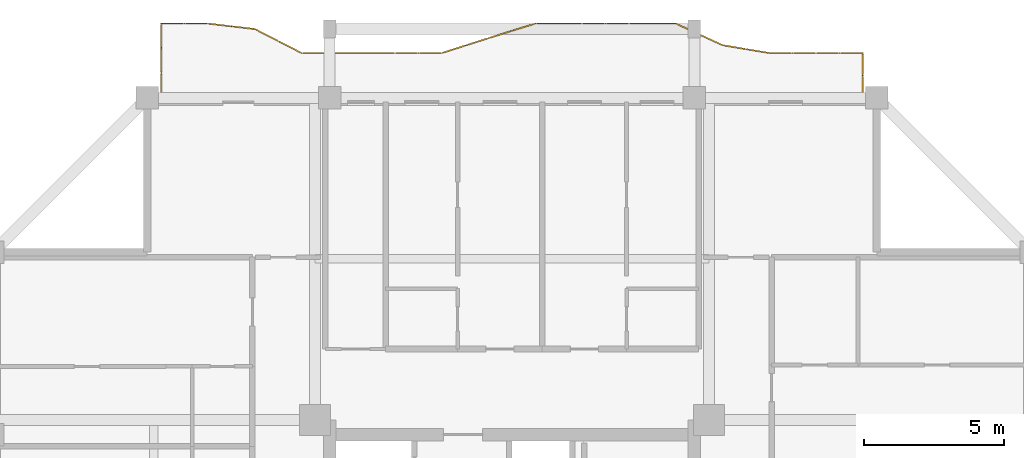
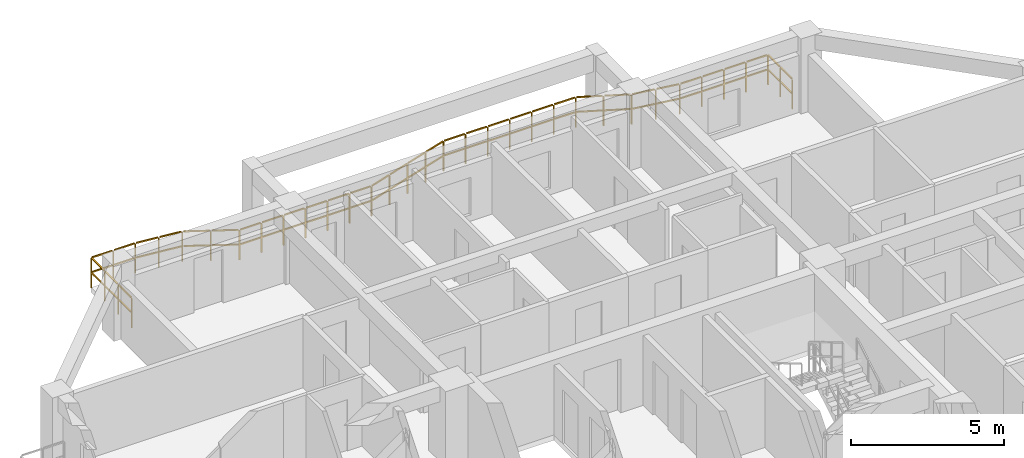
# One storey, part 13 of 13: 1 railing.
"""IFC4 building model written with IfcOpenShell, lengths in metres."""

from ifc_helpers import new_model, si_unit, direction, frame, origin, origin_2d, place, context, subcontext, project, spatial, rectangle, extrude, material, type_object, element, save


model = new_model("IFC4")

# Units and contexts
model_context = context("Model", 3, precision=1e-05, world=origin(), true_north=direction((0.0, 1.0)))
body_context = subcontext(model_context, "Body", "Model", "MODEL_VIEW")
ifc_project = project(units=[si_unit("LENGTHUNIT", "METRE"), si_unit("AREAUNIT", "SQUARE_METRE"), si_unit("VOLUMEUNIT", "CUBIC_METRE"), si_unit("PLANEANGLEUNIT", "RADIAN"), si_unit("MASSUNIT", "GRAM", prefix="KILO")], contexts=[model_context])

# Site, building, storey
site_placement = place(None, origin())
site = spatial("IfcSite", under=ifc_project, at=site_placement, CompositionType="ELEMENT")
building_placement = place(site_placement, origin())
building = spatial("IfcBuilding", under=site, at=building_placement, Name="Saelheon Loggia Tower", CompositionType="ELEMENT")
storey_placement = place(building_placement, frame((0.0, 0.0, 199.60009765625)))
storey = spatial("IfcBuildingStorey", under=building, at=storey_placement, Name="L62", CompositionType="ELEMENT", Elevation=199.60009765625)

# Railing
ifc_material = material(Name="Architectural Precast Concrete and Laminated Glass Guard", Category="concrete")
railing_type = type_object("IfcRailingType", Name="Guard_Loggia_RL_LOG", PredefinedType="BALUSTRADE", material=ifc_material)
railing_placement = place(storey_placement, frame((50.5, 48.0, 0.0)))
element("IfcRailing", 1, at=railing_placement, inside=storey, type_object=railing_type, Name="L62 North Loggia Balustrade", PredefinedType="BALUSTRADE", context=body_context, shape_type="SweptSolid", body=[
    extrude(rectangle(XDim=0.048095703125, YDim=0.048095703125, at=origin_2d()), frame((0.0, 0.033203125, 1.19580078125), z_axis=(0.0, 1.0, 0.0), x_axis=(-1.0, 0.0, 0.0)), (0.0, 0.0, 1.0), 0.733642578125),
    extrude(rectangle(XDim=0.048095703125, YDim=0.048095703125, at=origin_2d()), frame((0.0, 0.033203125, 0.60986328125), z_axis=(0.0, 1.0, 0.0), x_axis=(-1.0, 0.0, 0.0)), (0.0, 0.0, 1.0), 0.733642578125),
    extrude(rectangle(XDim=0.048095703125, YDim=0.048095703125, at=origin_2d()), frame((0.0, 0.833251953125, 1.19580078125), z_axis=(0.0, 1.0, 0.0), x_axis=(-1.0, 0.0, 0.0)), (0.0, 0.0, 1.0), 0.733642578125),
    extrude(rectangle(XDim=0.048095703125, YDim=0.048095703125, at=origin_2d()), frame((0.0, 0.833251953125, 0.60986328125), z_axis=(0.0, 1.0, 0.0), x_axis=(-1.0, 0.0, 0.0)), (0.0, 0.0, 1.0), 0.733642578125),
    extrude(rectangle(XDim=0.048095703125, YDim=0.048095703125, at=origin_2d()), frame((-0.033203125, 1.60009765625, 1.19580078125), z_axis=(-1.0, 0.0, 0.0), x_axis=(0.0, -1.0, 0.0)), (0.0, 0.0, 1.0), 0.766845703125),
    extrude(rectangle(XDim=0.048095703125, YDim=0.048095703125, at=origin_2d()), frame((-0.033203125, 1.60009765625, 0.60986328125), z_axis=(-1.0, 0.0, 0.0), x_axis=(0.0, -1.0, 0.0)), (0.0, 0.0, 1.0), 0.766845703125),
    extrude(rectangle(XDim=0.048095703125, YDim=0.048095703125, at=origin_2d()), frame((-0.86669921875, 1.60009765625, 1.19580078125), z_axis=(-1.0, 0.0, 0.0), x_axis=(0.0, -1.0, 0.0)), (0.0, 0.0, 1.0), 0.766845703125),
    extrude(rectangle(XDim=0.048095703125, YDim=0.048095703125, at=origin_2d()), frame((-0.86669921875, 1.60009765625, 0.60986328125), z_axis=(-1.0, 0.0, 0.0), x_axis=(0.0, -1.0, 0.0)), (0.0, 0.0, 1.0), 0.766845703125),
    extrude(rectangle(XDim=0.048095703125, YDim=0.048095703125, at=origin_2d()), frame((-1.699951171875, 1.60009765625, 1.19580078125), z_axis=(-1.0, 0.0, 0.0), x_axis=(0.0, -1.0, 0.0)), (0.0, 0.0, 1.0), 0.766845703125),
    extrude(rectangle(XDim=0.048095703125, YDim=0.048095703125, at=origin_2d()), frame((-1.699951171875, 1.60009765625, 0.60986328125), z_axis=(-1.0, 0.0, 0.0), x_axis=(0.0, -1.0, 0.0)), (0.0, 0.0, 1.0), 0.766845703125),
    extrude(rectangle(XDim=0.048095703125, YDim=0.048095703125, at=origin_2d()), frame((-2.533203125, 1.60009765625, 1.19580078125), z_axis=(-1.0, 0.0, 0.0), x_axis=(0.0, -1.0, 0.0)), (0.0, 0.0, 1.0), 0.766845703125),
    extrude(rectangle(XDim=0.048095703125, YDim=0.048095703125, at=origin_2d()), frame((-2.533203125, 1.60009765625, 0.60986328125), z_axis=(-1.0, 0.0, 0.0), x_axis=(0.0, -1.0, 0.0)), (0.0, 0.0, 1.0), 0.766845703125),
    extrude(rectangle(XDim=0.048095703125, YDim=0.048095703125, at=origin_2d()), frame((-3.365966796875, 1.605712890625, 1.19580078125), z_axis=(-0.986201949219, 0.165546716538, 0.0), x_axis=(-0.165546716538, -0.986201949219, 0.0)), (0.0, 0.0, 1.0), 0.778564453125),
    extrude(rectangle(XDim=0.048095703125, YDim=0.048095703125, at=origin_2d()), frame((-3.365966796875, 1.605712890625, 0.60986328125), z_axis=(-0.986201949219, 0.165546716538, 0.0), x_axis=(-0.165546716538, -0.986201949219, 0.0)), (0.0, 0.0, 1.0), 0.778564453125),
    extrude(rectangle(XDim=0.048095703125, YDim=0.048095703125, at=origin_2d()), frame((-4.199462890625, 1.74560546875, 1.19580078125), z_axis=(-0.986201949219, 0.165546716538, 0.0), x_axis=(-0.165546716538, -0.986201949219, 0.0)), (0.0, 0.0, 1.0), 0.778564453125),
    extrude(rectangle(XDim=0.048095703125, YDim=0.048095703125, at=origin_2d()), frame((-4.199462890625, 1.74560546875, 0.60986328125), z_axis=(-0.986201949219, 0.165546716538, 0.0), x_axis=(-0.165546716538, -0.986201949219, 0.0)), (0.0, 0.0, 1.0), 0.778564453125),
    extrude(rectangle(XDim=0.048095703125, YDim=0.048095703125, at=origin_2d()), frame((-5.0302734375, 1.893798828125, 1.19580078125), z_axis=(-0.907803646661, 0.419395444788, 0.0), x_axis=(-0.419395444788, -0.907803646661, 0.0)), (0.0, 0.0, 1.0), 0.8515625),
    extrude(rectangle(XDim=0.048095703125, YDim=0.048095703125, at=origin_2d()), frame((-5.0302734375, 1.893798828125, 0.60986328125), z_axis=(-0.907803646661, 0.419395444788, 0.0), x_axis=(-0.419395444788, -0.907803646661, 0.0)), (0.0, 0.0, 1.0), 0.8515625),
    extrude(rectangle(XDim=0.048095703125, YDim=0.048095703125, at=origin_2d()), frame((-5.863525390625, 2.27880859375, 1.19580078125), z_axis=(-0.907803646661, 0.419395444788, 0.0), x_axis=(-0.419395444788, -0.907803646661, 0.0)), (0.0, 0.0, 1.0), 0.8515625),
    extrude(rectangle(XDim=0.048095703125, YDim=0.048095703125, at=origin_2d()), frame((-5.863525390625, 2.27880859375, 0.60986328125), z_axis=(-0.907803646661, 0.419395444788, 0.0), x_axis=(-0.419395444788, -0.907803646661, 0.0)), (0.0, 0.0, 1.0), 0.8515625),
    extrude(rectangle(XDim=0.048095703125, YDim=0.048095703125, at=origin_2d()), frame((-6.699951171875, 2.64990234375, 1.19580078125), z_axis=(-1.0, 0.0, 0.0), x_axis=(0.0, -1.0, 0.0)), (0.0, 0.0, 1.0), 0.766845703125),
    extrude(rectangle(XDim=0.048095703125, YDim=0.048095703125, at=origin_2d()), frame((-6.699951171875, 2.64990234375, 0.60986328125), z_axis=(-1.0, 0.0, 0.0), x_axis=(0.0, -1.0, 0.0)), (0.0, 0.0, 1.0), 0.766845703125),
    extrude(rectangle(XDim=0.048095703125, YDim=0.048095703125, at=origin_2d()), frame((-7.533203125, 2.64990234375, 1.19580078125), z_axis=(-1.0, 0.0, 0.0), x_axis=(0.0, -1.0, 0.0)), (0.0, 0.0, 1.0), 0.766845703125),
    extrude(rectangle(XDim=0.048095703125, YDim=0.048095703125, at=origin_2d()), frame((-7.533203125, 2.64990234375, 0.60986328125), z_axis=(-1.0, 0.0, 0.0), x_axis=(0.0, -1.0, 0.0)), (0.0, 0.0, 1.0), 0.766845703125),
    extrude(rectangle(XDim=0.048095703125, YDim=0.048095703125, at=origin_2d()), frame((-8.366455078125, 2.64990234375, 1.19580078125), z_axis=(-1.0, 0.0, 0.0), x_axis=(0.0, -1.0, 0.0)), (0.0, 0.0, 1.0), 0.766845703125),
    extrude(rectangle(XDim=0.048095703125, YDim=0.048095703125, at=origin_2d()), frame((-8.366455078125, 2.64990234375, 0.60986328125), z_axis=(-1.0, 0.0, 0.0), x_axis=(0.0, -1.0, 0.0)), (0.0, 0.0, 1.0), 0.766845703125),
    extrude(rectangle(XDim=0.048095703125, YDim=0.048095703125, at=origin_2d()), frame((-9.199951171875, 2.64990234375, 1.19580078125), z_axis=(-1.0, 0.0, 0.0), x_axis=(0.0, -1.0, 0.0)), (0.0, 0.0, 1.0), 0.766845703125),
    extrude(rectangle(XDim=0.048095703125, YDim=0.048095703125, at=origin_2d()), frame((-9.199951171875, 2.64990234375, 0.60986328125), z_axis=(-1.0, 0.0, 0.0), x_axis=(0.0, -1.0, 0.0)), (0.0, 0.0, 1.0), 0.766845703125),
    extrude(rectangle(XDim=0.048095703125, YDim=0.048095703125, at=origin_2d()), frame((-10.033203125, 2.64990234375, 1.19580078125), z_axis=(-1.0, 0.0, 0.0), x_axis=(0.0, -1.0, 0.0)), (0.0, 0.0, 1.0), 0.766845703125),
    extrude(rectangle(XDim=0.048095703125, YDim=0.048095703125, at=origin_2d()), frame((-10.033203125, 2.64990234375, 0.60986328125), z_axis=(-1.0, 0.0, 0.0), x_axis=(0.0, -1.0, 0.0)), (0.0, 0.0, 1.0), 0.766845703125),
    extrude(rectangle(XDim=0.048095703125, YDim=0.048095703125, at=origin_2d()), frame((-10.86669921875, 2.64990234375, 1.19580078125), z_axis=(-1.0, 0.0, 0.0), x_axis=(0.0, -1.0, 0.0)), (0.0, 0.0, 1.0), 0.766845703125),
    extrude(rectangle(XDim=0.048095703125, YDim=0.048095703125, at=origin_2d()), frame((-10.86669921875, 2.64990234375, 0.60986328125), z_axis=(-1.0, 0.0, 0.0), x_axis=(0.0, -1.0, 0.0)), (0.0, 0.0, 1.0), 0.766845703125),
    extrude(rectangle(XDim=0.048095703125, YDim=0.048095703125, at=origin_2d()), frame((-11.698486328125, 2.64013671875, 1.19580078125), z_axis=(-0.954922008147, -0.296856797727, 0.0), x_axis=(0.296856797727, -0.954922008147, 0.0)), (0.0, 0.0, 1.0), 0.80615234375),
    extrude(rectangle(XDim=0.048095703125, YDim=0.048095703125, at=origin_2d()), frame((-11.698486328125, 2.64013671875, 0.60986328125), z_axis=(-0.954922008147, -0.296856797727, 0.0), x_axis=(0.296856797727, -0.954922008147, 0.0)), (0.0, 0.0, 1.0), 0.80615234375),
    extrude(rectangle(XDim=0.048095703125, YDim=0.048095703125, at=origin_2d()), frame((-12.53173828125, 2.381103515625, 1.19580078125), z_axis=(-0.954922008147, -0.296856797727, 0.0), x_axis=(0.296856797727, -0.954922008147, 0.0)), (0.0, 0.0, 1.0), 0.80615234375),
    extrude(rectangle(XDim=0.048095703125, YDim=0.048095703125, at=origin_2d()), frame((-12.53173828125, 2.381103515625, 0.60986328125), z_axis=(-0.954922008147, -0.296856797727, 0.0), x_axis=(0.296856797727, -0.954922008147, 0.0)), (0.0, 0.0, 1.0), 0.80615234375),
    extrude(rectangle(XDim=0.048095703125, YDim=0.048095703125, at=origin_2d()), frame((-13.364990234375, 2.121826171875, 1.19580078125), z_axis=(-0.952692745051, -0.303935081107, 0.0), x_axis=(0.303935081107, -0.952692745051, 0.0)), (0.0, 0.0, 1.0), 0.808349609375),
    extrude(rectangle(XDim=0.048095703125, YDim=0.048095703125, at=origin_2d()), frame((-13.364990234375, 2.121826171875, 0.60986328125), z_axis=(-0.952692745051, -0.303935081107, 0.0), x_axis=(0.303935081107, -0.952692745051, 0.0)), (0.0, 0.0, 1.0), 0.808349609375),
    extrude(rectangle(XDim=0.048095703125, YDim=0.048095703125, at=origin_2d()), frame((-14.1982421875, 1.85595703125, 1.19580078125), z_axis=(-0.952692745051, -0.303935081107, 0.0), x_axis=(0.303935081107, -0.952692745051, 0.0)), (0.0, 0.0, 1.0), 0.808349609375),
    extrude(rectangle(XDim=0.048095703125, YDim=0.048095703125, at=origin_2d()), frame((-14.1982421875, 1.85595703125, 0.60986328125), z_axis=(-0.952692745051, -0.303935081107, 0.0), x_axis=(0.303935081107, -0.952692745051, 0.0)), (0.0, 0.0, 1.0), 0.808349609375),
    extrude(rectangle(XDim=0.048095703125, YDim=0.048095703125, at=origin_2d()), frame((-15.033203125, 1.60009765625, 1.19580078125), z_axis=(-1.0, 0.0, 0.0), x_axis=(0.0, -1.0, 0.0)), (0.0, 0.0, 1.0), 0.766845703125),
    extrude(rectangle(XDim=0.048095703125, YDim=0.048095703125, at=origin_2d()), frame((-15.033203125, 1.60009765625, 0.60986328125), z_axis=(-1.0, 0.0, 0.0), x_axis=(0.0, -1.0, 0.0)), (0.0, 0.0, 1.0), 0.766845703125),
    extrude(rectangle(XDim=0.048095703125, YDim=0.048095703125, at=origin_2d()), frame((-15.86669921875, 1.60009765625, 1.19580078125), z_axis=(-1.0, 0.0, 0.0), x_axis=(0.0, -1.0, 0.0)), (0.0, 0.0, 1.0), 0.766845703125),
    extrude(rectangle(XDim=0.048095703125, YDim=0.048095703125, at=origin_2d()), frame((-15.86669921875, 1.60009765625, 0.60986328125), z_axis=(-1.0, 0.0, 0.0), x_axis=(0.0, -1.0, 0.0)), (0.0, 0.0, 1.0), 0.766845703125),
    extrude(rectangle(XDim=0.048095703125, YDim=0.048095703125, at=origin_2d()), frame((-16.699951171875, 1.60009765625, 1.19580078125), z_axis=(-1.0, 0.0, 0.0), x_axis=(0.0, -1.0, 0.0)), (0.0, 0.0, 1.0), 0.766845703125),
    extrude(rectangle(XDim=0.048095703125, YDim=0.048095703125, at=origin_2d()), frame((-16.699951171875, 1.60009765625, 0.60986328125), z_axis=(-1.0, 0.0, 0.0), x_axis=(0.0, -1.0, 0.0)), (0.0, 0.0, 1.0), 0.766845703125),
    extrude(rectangle(XDim=0.048095703125, YDim=0.048095703125, at=origin_2d()), frame((-17.533203125, 1.60009765625, 1.19580078125), z_axis=(-1.0, 0.0, 0.0), x_axis=(0.0, -1.0, 0.0)), (0.0, 0.0, 1.0), 0.766845703125),
    extrude(rectangle(XDim=0.048095703125, YDim=0.048095703125, at=origin_2d()), frame((-17.533203125, 1.60009765625, 0.60986328125), z_axis=(-1.0, 0.0, 0.0), x_axis=(0.0, -1.0, 0.0)), (0.0, 0.0, 1.0), 0.766845703125),
    extrude(rectangle(XDim=0.048095703125, YDim=0.048095703125, at=origin_2d()), frame((-18.366455078125, 1.60009765625, 1.19580078125), z_axis=(-1.0, 0.0, 0.0), x_axis=(0.0, -1.0, 0.0)), (0.0, 0.0, 1.0), 0.766845703125),
    extrude(rectangle(XDim=0.048095703125, YDim=0.048095703125, at=origin_2d()), frame((-18.366455078125, 1.60009765625, 0.60986328125), z_axis=(-1.0, 0.0, 0.0), x_axis=(0.0, -1.0, 0.0)), (0.0, 0.0, 1.0), 0.766845703125),
    extrude(rectangle(XDim=0.048095703125, YDim=0.048095703125, at=origin_2d()), frame((-19.199951171875, 1.60009765625, 1.19580078125), z_axis=(-1.0, 0.0, 0.0), x_axis=(0.0, -1.0, 0.0)), (0.0, 0.0, 1.0), 0.766845703125),
    extrude(rectangle(XDim=0.048095703125, YDim=0.048095703125, at=origin_2d()), frame((-19.199951171875, 1.60009765625, 0.60986328125), z_axis=(-1.0, 0.0, 0.0), x_axis=(0.0, -1.0, 0.0)), (0.0, 0.0, 1.0), 0.766845703125),
    extrude(rectangle(XDim=0.048095703125, YDim=0.048095703125, at=origin_2d()), frame((-20.029541015625, 1.615234375, 1.19580078125), z_axis=(-0.889712964252, 0.456520362352, 0.0), x_axis=(-0.456520362352, -0.889712964252, 0.0)), (0.0, 0.0, 1.0), 0.8701171875),
    extrude(rectangle(XDim=0.048095703125, YDim=0.048095703125, at=origin_2d()), frame((-20.029541015625, 1.615234375, 0.60986328125), z_axis=(-0.889712964252, 0.456520362352, 0.0), x_axis=(-0.456520362352, -0.889712964252, 0.0)), (0.0, 0.0, 1.0), 0.8701171875),
    extrude(rectangle(XDim=0.048095703125, YDim=0.048095703125, at=origin_2d()), frame((-20.863037109375, 2.04296875, 1.19580078125), z_axis=(-0.889712964252, 0.456520362352, 0.0), x_axis=(-0.456520362352, -0.889712964252, 0.0)), (0.0, 0.0, 1.0), 0.8701171875),
    extrude(rectangle(XDim=0.048095703125, YDim=0.048095703125, at=origin_2d()), frame((-20.863037109375, 2.04296875, 0.60986328125), z_axis=(-0.889712964252, 0.456520362352, 0.0), x_axis=(-0.456520362352, -0.889712964252, 0.0)), (0.0, 0.0, 1.0), 0.8701171875),
    extrude(rectangle(XDim=0.048095703125, YDim=0.048095703125, at=origin_2d()), frame((-21.69970703125, 2.459228515625, 1.19580078125), z_axis=(-0.993252527716, 0.115971618018, 0.0), x_axis=(-0.115971618018, -0.993252527716, 0.0)), (0.0, 0.0, 1.0), 0.7724609375),
    extrude(rectangle(XDim=0.048095703125, YDim=0.048095703125, at=origin_2d()), frame((-21.69970703125, 2.459228515625, 0.60986328125), z_axis=(-0.993252527716, 0.115971618018, 0.0), x_axis=(-0.115971618018, -0.993252527716, 0.0)), (0.0, 0.0, 1.0), 0.7724609375),
    extrude(rectangle(XDim=0.048095703125, YDim=0.048095703125, at=origin_2d()), frame((-22.532958984375, 2.556396484375, 1.19580078125), z_axis=(-0.993252527716, 0.115971618018, 0.0), x_axis=(-0.115971618018, -0.993252527716, 0.0)), (0.0, 0.0, 1.0), 0.7724609375),
    extrude(rectangle(XDim=0.048095703125, YDim=0.048095703125, at=origin_2d()), frame((-22.532958984375, 2.556396484375, 0.60986328125), z_axis=(-0.993252527716, 0.115971618018, 0.0), x_axis=(-0.115971618018, -0.993252527716, 0.0)), (0.0, 0.0, 1.0), 0.7724609375),
    extrude(rectangle(XDim=0.048095703125, YDim=0.048095703125, at=origin_2d()), frame((-23.366455078125, 2.64990234375, 1.19580078125), z_axis=(-1.0, 0.0, 0.0), x_axis=(0.0, -1.0, 0.0)), (0.0, 0.0, 1.0), 0.766845703125),
    extrude(rectangle(XDim=0.048095703125, YDim=0.048095703125, at=origin_2d()), frame((-23.366455078125, 2.64990234375, 0.60986328125), z_axis=(-1.0, 0.0, 0.0), x_axis=(0.0, -1.0, 0.0)), (0.0, 0.0, 1.0), 0.766845703125),
    extrude(rectangle(XDim=0.048095703125, YDim=0.048095703125, at=origin_2d()), frame((-24.199951171875, 2.64990234375, 1.19580078125), z_axis=(-1.0, 0.0, 0.0), x_axis=(0.0, -1.0, 0.0)), (0.0, 0.0, 1.0), 0.766845703125),
    extrude(rectangle(XDim=0.048095703125, YDim=0.048095703125, at=origin_2d()), frame((-24.199951171875, 2.64990234375, 0.60986328125), z_axis=(-1.0, 0.0, 0.0), x_axis=(0.0, -1.0, 0.0)), (0.0, 0.0, 1.0), 0.766845703125),
    extrude(rectangle(XDim=0.048095703125, YDim=0.048095703125, at=origin_2d()), frame((-25.0, 2.61669921875, 1.19580078125), z_axis=(0.0, -1.0, 0.0), x_axis=(1.0, 0.0, 0.0)), (0.0, 0.0, 1.0), 0.81689453125),
    extrude(rectangle(XDim=0.048095703125, YDim=0.048095703125, at=origin_2d()), frame((-25.0, 2.61669921875, 0.60986328125), z_axis=(0.0, -1.0, 0.0), x_axis=(1.0, 0.0, 0.0)), (0.0, 0.0, 1.0), 0.81689453125),
    extrude(rectangle(XDim=0.048095703125, YDim=0.048095703125, at=origin_2d()), frame((-25.0, 1.7333984375, 1.19580078125), z_axis=(0.0, -1.0, 0.0), x_axis=(1.0, 0.0, 0.0)), (0.0, 0.0, 1.0), 0.81689453125),
    extrude(rectangle(XDim=0.048095703125, YDim=0.048095703125, at=origin_2d()), frame((-25.0, 1.7333984375, 0.60986328125), z_axis=(0.0, -1.0, 0.0), x_axis=(1.0, 0.0, 0.0)), (0.0, 0.0, 1.0), 0.81689453125),
    extrude(rectangle(XDim=0.048095703125, YDim=0.048095703125, at=origin_2d()), frame((-25.0, 0.85009765625, 1.19580078125), z_axis=(0.0, -1.0, 0.0), x_axis=(1.0, 0.0, 0.0)), (0.0, 0.0, 1.0), 0.81689453125),
    extrude(rectangle(XDim=0.048095703125, YDim=0.048095703125, at=origin_2d()), frame((-25.0, 0.85009765625, 0.60986328125), z_axis=(0.0, -1.0, 0.0), x_axis=(1.0, 0.0, 0.0)), (0.0, 0.0, 1.0), 0.81689453125),
    extrude(rectangle(XDim=0.0419921875, YDim=0.0419921875, at=origin_2d()), origin(), (0.0, 0.0, 1.0), 1.16796875),
    extrude(rectangle(XDim=0.0419921875, YDim=0.0419921875, at=origin_2d()), frame((0.0, 0.800048828125, 0.0)), (0.0, 0.0, 1.0), 1.16796875),
    extrude(rectangle(XDim=0.0419921875, YDim=0.0419921875, at=origin_2d()), frame((0.0, 1.60009765625, 0.0)), (0.0, 0.0, 1.0), 1.16796875),
    extrude(rectangle(XDim=0.0419921875, YDim=0.0419921875, at=origin_2d()), frame((-0.83349609375, 1.60009765625, 0.0)), (0.0, 0.0, 1.0), 1.16796875),
    extrude(rectangle(XDim=0.0419921875, YDim=0.0419921875, at=origin_2d()), frame((-1.666748046875, 1.60009765625, 0.0)), (0.0, 0.0, 1.0), 1.16796875),
    extrude(rectangle(XDim=0.0419921875, YDim=0.0419921875, at=origin_2d()), frame((-2.5, 1.60009765625, 0.0)), (0.0, 0.0, 1.0), 1.16796875),
    extrude(rectangle(XDim=0.0419921875, YDim=0.0419921875, at=origin_2d()), frame((-3.333251953125, 1.60009765625, 0.0)), (0.0, 0.0, 1.0), 1.16796875),
    extrude(rectangle(XDim=0.0419921875, YDim=0.0419921875, at=origin_2d()), frame((-4.16650390625, 1.739990234375, 0.0)), (0.0, 0.0, 1.0), 1.16796875),
    extrude(rectangle(XDim=0.0419921875, YDim=0.0419921875, at=origin_2d()), frame((-5.0, 1.8798828125, 0.0)), (0.0, 0.0, 1.0), 1.16796875),
    extrude(rectangle(XDim=0.0419921875, YDim=0.0419921875, at=origin_2d()), frame((-5.83349609375, 2.264892578125, 0.0)), (0.0, 0.0, 1.0), 1.16796875),
    extrude(rectangle(XDim=0.0419921875, YDim=0.0419921875, at=origin_2d()), frame((-6.666748046875, 2.64990234375, 0.0)), (0.0, 0.0, 1.0), 1.16796875),
    extrude(rectangle(XDim=0.0419921875, YDim=0.0419921875, at=origin_2d()), frame((-7.5, 2.64990234375, 0.0)), (0.0, 0.0, 1.0), 1.16796875),
    extrude(rectangle(XDim=0.0419921875, YDim=0.0419921875, at=origin_2d()), frame((-8.333251953125, 2.64990234375, 0.0)), (0.0, 0.0, 1.0), 1.16796875),
    extrude(rectangle(XDim=0.0419921875, YDim=0.0419921875, at=origin_2d()), frame((-9.16650390625, 2.64990234375, 0.0)), (0.0, 0.0, 1.0), 1.16796875),
    extrude(rectangle(XDim=0.0419921875, YDim=0.0419921875, at=origin_2d()), frame((-10.0, 2.64990234375, 0.0)), (0.0, 0.0, 1.0), 1.16796875),
    extrude(rectangle(XDim=0.0419921875, YDim=0.0419921875, at=origin_2d()), frame((-10.83349609375, 2.64990234375, 0.0)), (0.0, 0.0, 1.0), 1.16796875),
    extrude(rectangle(XDim=0.0419921875, YDim=0.0419921875, at=origin_2d()), frame((-11.666748046875, 2.64990234375, 0.0)), (0.0, 0.0, 1.0), 1.16796875),
    extrude(rectangle(XDim=0.0419921875, YDim=0.0419921875, at=origin_2d()), frame((-12.5, 2.390869140625, 0.0)), (0.0, 0.0, 1.0), 1.16796875),
    extrude(rectangle(XDim=0.0419921875, YDim=0.0419921875, at=origin_2d()), frame((-13.333251953125, 2.1318359375, 0.0)), (0.0, 0.0, 1.0), 1.16796875),
    extrude(rectangle(XDim=0.0419921875, YDim=0.0419921875, at=origin_2d()), frame((-14.16650390625, 1.865966796875, 0.0)), (0.0, 0.0, 1.0), 1.16796875),
    extrude(rectangle(XDim=0.0419921875, YDim=0.0419921875, at=origin_2d()), frame((-15.0, 1.60009765625, 0.0)), (0.0, 0.0, 1.0), 1.16796875),
    extrude(rectangle(XDim=0.0419921875, YDim=0.0419921875, at=origin_2d()), frame((-15.83349609375, 1.60009765625, 0.0)), (0.0, 0.0, 1.0), 1.16796875),
    extrude(rectangle(XDim=0.0419921875, YDim=0.0419921875, at=origin_2d()), frame((-16.666748046875, 1.60009765625, 0.0)), (0.0, 0.0, 1.0), 1.16796875),
    extrude(rectangle(XDim=0.0419921875, YDim=0.0419921875, at=origin_2d()), frame((-17.5, 1.60009765625, 0.0)), (0.0, 0.0, 1.0), 1.16796875),
    extrude(rectangle(XDim=0.0419921875, YDim=0.0419921875, at=origin_2d()), frame((-18.333251953125, 1.60009765625, 0.0)), (0.0, 0.0, 1.0), 1.16796875),
    extrude(rectangle(XDim=0.0419921875, YDim=0.0419921875, at=origin_2d()), frame((-19.16650390625, 1.60009765625, 0.0)), (0.0, 0.0, 1.0), 1.16796875),
    extrude(rectangle(XDim=0.0419921875, YDim=0.0419921875, at=origin_2d()), frame((-20.0, 1.60009765625, 0.0)), (0.0, 0.0, 1.0), 1.16796875),
    extrude(rectangle(XDim=0.0419921875, YDim=0.0419921875, at=origin_2d()), frame((-20.83349609375, 2.02783203125, 0.0)), (0.0, 0.0, 1.0), 1.16796875),
    extrude(rectangle(XDim=0.0419921875, YDim=0.0419921875, at=origin_2d()), frame((-21.666748046875, 2.455322265625, 0.0)), (0.0, 0.0, 1.0), 1.16796875),
    extrude(rectangle(XDim=0.0419921875, YDim=0.0419921875, at=origin_2d()), frame((-22.5, 2.552734375, 0.0)), (0.0, 0.0, 1.0), 1.16796875),
    extrude(rectangle(XDim=0.0419921875, YDim=0.0419921875, at=origin_2d()), frame((-23.333251953125, 2.64990234375, 0.0)), (0.0, 0.0, 1.0), 1.16796875),
    extrude(rectangle(XDim=0.0419921875, YDim=0.0419921875, at=origin_2d()), frame((-24.16650390625, 2.64990234375, 0.0)), (0.0, 0.0, 1.0), 1.16796875),
    extrude(rectangle(XDim=0.0419921875, YDim=0.0419921875, at=origin_2d()), frame((-25.0, 2.64990234375, 0.0)), (0.0, 0.0, 1.0), 1.16796875),
    extrude(rectangle(XDim=0.0419921875, YDim=0.0419921875, at=origin_2d()), frame((-25.0, 1.7666015625, 0.0)), (0.0, 0.0, 1.0), 1.16796875),
    extrude(rectangle(XDim=0.0419921875, YDim=0.0419921875, at=origin_2d()), frame((-25.0, 0.88330078125, 0.0)), (0.0, 0.0, 1.0), 1.16796875),
    extrude(rectangle(XDim=0.0419921875, YDim=0.0419921875, at=origin_2d()), frame((-25.0, 0.0, 0.0)), (0.0, 0.0, 1.0), 1.16796875),
])

save(model, "model.ifc")
